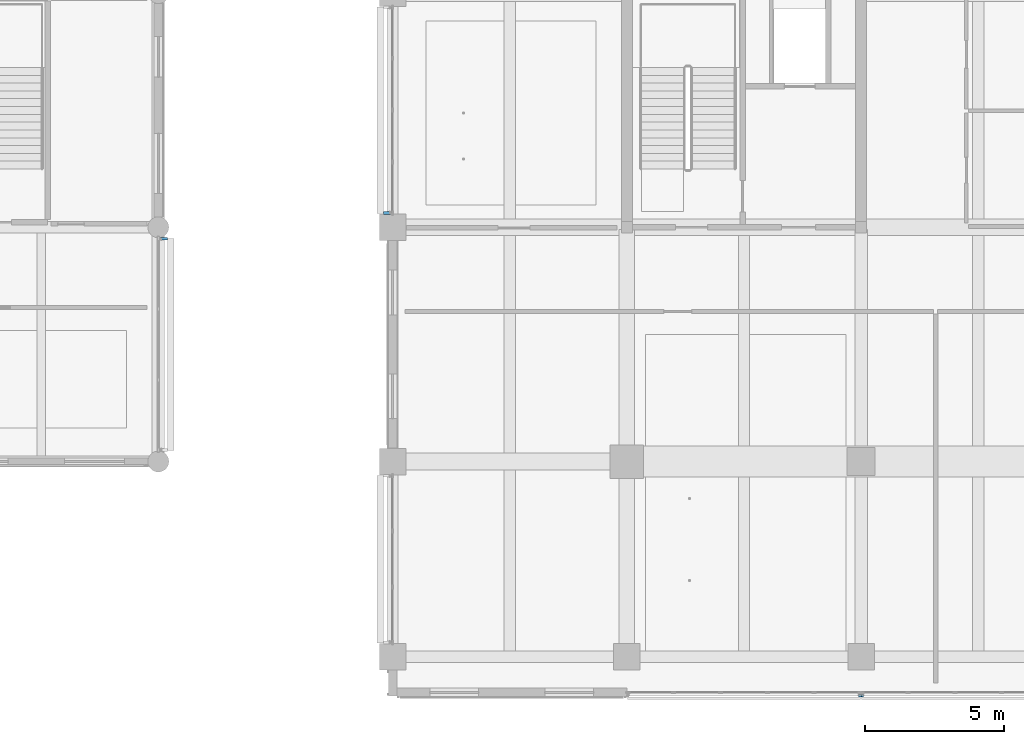
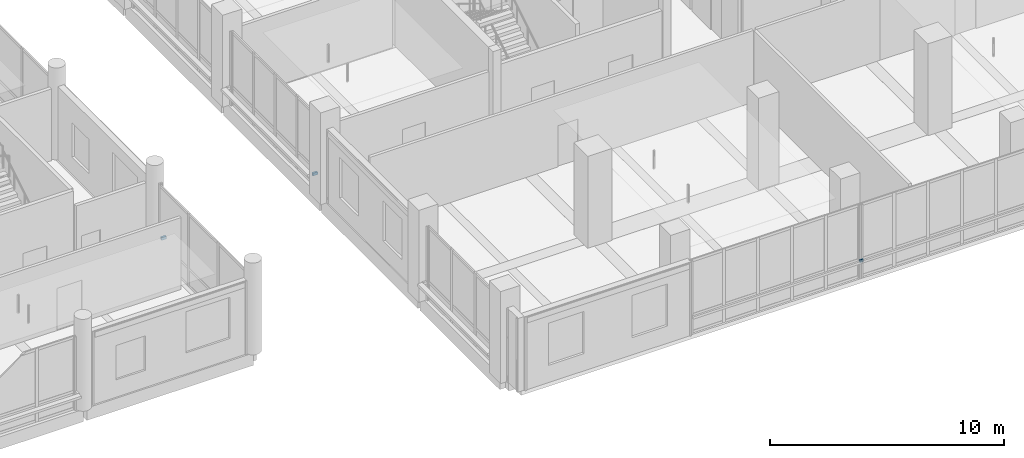
# One storey, part 65 of 122: 4 discrete accessories.
"""IFC4 building model written with IfcOpenShell, lengths in metres."""

from ifc_helpers import new_model, si_unit, direction, frame, origin, origin_2d, place, context, subcontext, project, spatial, rectangle, extrude, material, type_object, element, save


model = new_model("IFC4")

# Units and contexts
model_context = context("Model", 3, precision=1e-05, world=origin(), true_north=direction((0.0, 1.0)))
body_context = subcontext(model_context, "Body", "Model", "MODEL_VIEW")
ifc_project = project(units=[si_unit("LENGTHUNIT", "METRE"), si_unit("AREAUNIT", "SQUARE_METRE"), si_unit("VOLUMEUNIT", "CUBIC_METRE"), si_unit("PLANEANGLEUNIT", "RADIAN"), si_unit("MASSUNIT", "GRAM", prefix="KILO")], contexts=[model_context])

# Site, building, storey
site_placement = place(None, origin())
site = spatial("IfcSite", under=ifc_project, at=site_placement, CompositionType="ELEMENT")
building_placement = place(site_placement, origin())
building = spatial("IfcBuilding", under=site, at=building_placement, Name="Telukmera Botanical Conservatory", CompositionType="ELEMENT")
storey_placement = place(building_placement, frame((0.0, 0.0, 10.199951171875)))
storey = spatial("IfcBuildingStorey", under=building, at=storey_placement, Name="L02", CompositionType="ELEMENT", Elevation=10.199951171875)

# Discrete accessories
ifc_material = material(Name="Steel S355", Category="steel")
discrete_accessory_type = type_object("IfcDiscreteAccessoryType", Name="Structural Steel Facade Outrigger Fin Bracket", PredefinedType="BRACKET", material=ifc_material)
discrete_accessory_1_placement = place(storey_placement, frame((42.199951171875, 25.590576171875, 0.8798828125), z_axis=(0.0, 0.0, 1.0), x_axis=(0.0, 1.0, 0.0)))
element("IfcDiscreteAccessory", 1, at=discrete_accessory_1_placement, inside=storey, type_object=discrete_accessory_type, Name="Facade Outrigger Bracket V3:L02:E1 B", PredefinedType="BRACKET", context=body_context, shape_type="SweptSolid", body=[
    extrude(rectangle(XDim=0.10009765625, YDim=0.239990234375, at=origin_2d()), origin(), (0.0, 0.0, 1.0), 0.139892578125),
])
for number, where, z_axis, x_axis, name in (
    (2, (67.16552734375, 9.195068359375, 0.8798828125), (0.0, 0.0, 1.0), (1.0, 0.0, 0.0), "Facade Outrigger Bracket V4:L02:S2 B"),
    (3, (67.234619140625, 9.195068359375, 0.8798828125), (0.0, 0.0, 1.0), (1.0, 0.0, 0.0), "Facade Outrigger Bracket V4:L02:S3 A"),
):
    element("IfcDiscreteAccessory", number, at=place(storey_placement, frame(where, z_axis=z_axis, x_axis=x_axis)), inside=storey, type_object=discrete_accessory_type, Name=name, PredefinedType="BRACKET", context=body_context, shape_type="SweptSolid", body=[
        extrude(rectangle(XDim=0.10009765625, YDim=0.090087890625, at=origin_2d()), origin(), (0.0, 0.0, 1.0), 0.139892578125),
    ])
discrete_accessory_2_placement = place(storey_placement, frame((50.199951171875, 26.509521484375, 0.8798828125), z_axis=(0.0, 0.0, 1.0), x_axis=(0.0, 1.0, 0.0)))
element("IfcDiscreteAccessory", 4, at=discrete_accessory_2_placement, inside=storey, type_object=discrete_accessory_type, Name="Facade Outrigger Bracket V4:L02:W3 A", PredefinedType="BRACKET", context=body_context, shape_type="SweptSolid", body=[
    extrude(rectangle(XDim=0.10009765625, YDim=0.239990234375, at=origin_2d()), origin(), (0.0, 0.0, 1.0), 0.139892578125),
])

save(model, "model.ifc")
